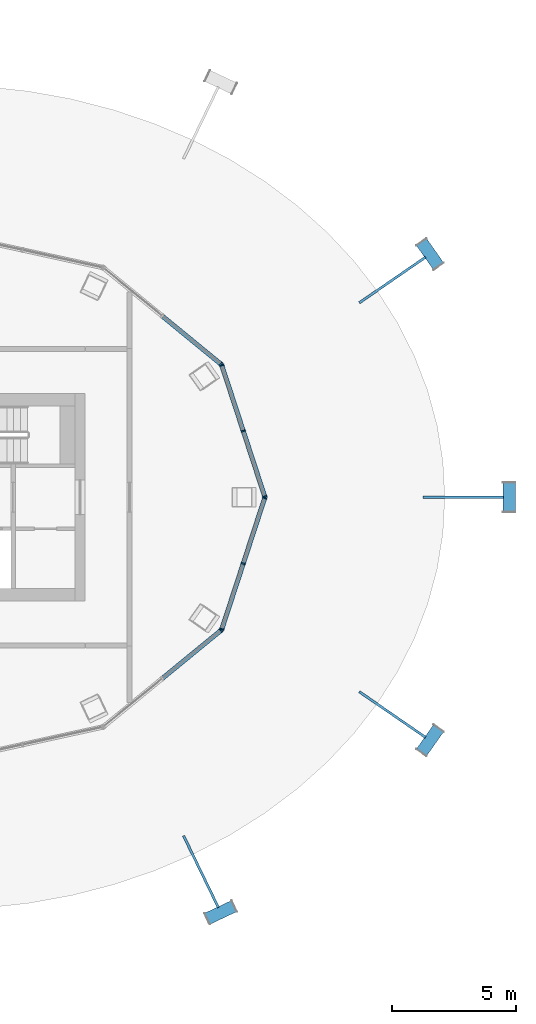
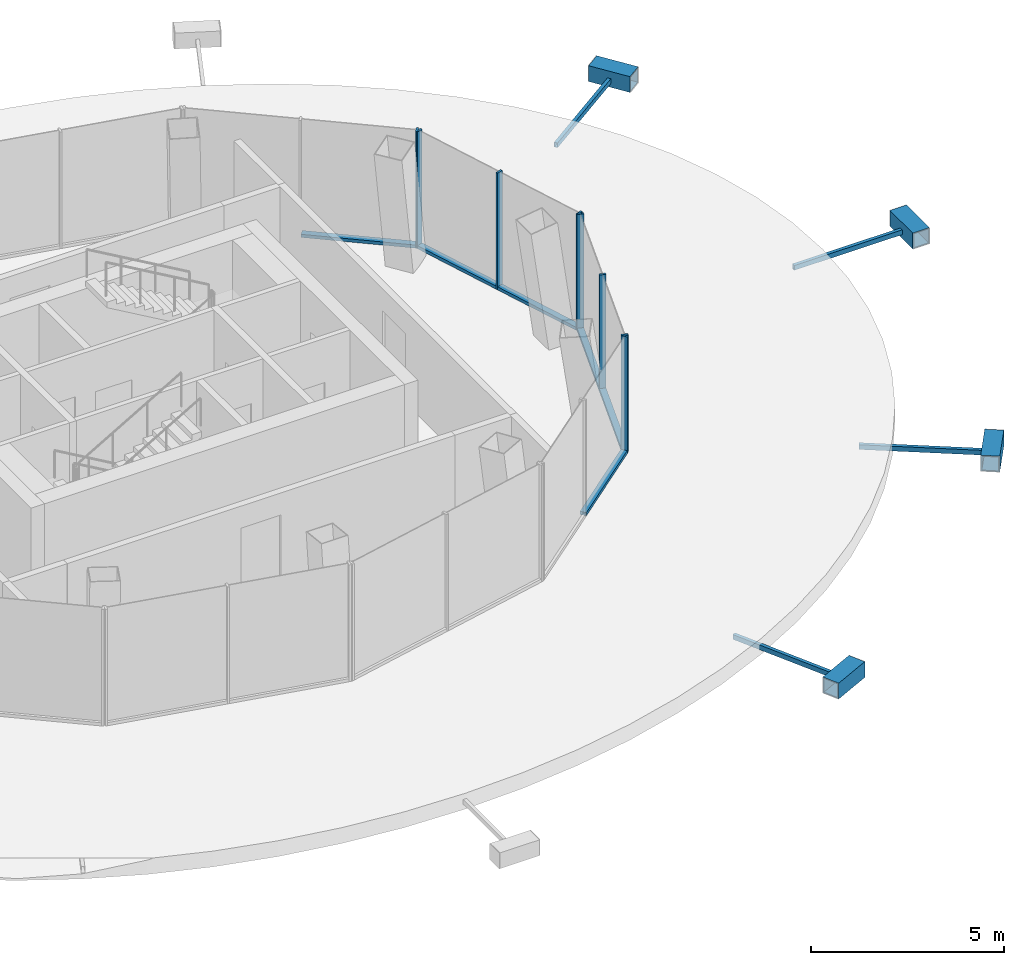
# One storey, part 4 of 10: 22 members, 4 elements without a shape of their own.
"""IFC4 building model written with IfcOpenShell, lengths in metres."""

from ifc_helpers import new_model, si_unit, direction, frame, origin, origin_2d, place, context, subcontext, project, spatial, rectangle, hollow_rectangle, extrude, material, layer, layer_set, material_profile, profile_set, type_object, element, aggregate, save


model = new_model("IFC4")

# Units and contexts
model_context = context("Model", 3, precision=1e-05, world=origin(), true_north=direction((0.0, 1.0)))
body_context = subcontext(model_context, "Body", "Model", "MODEL_VIEW")
ifc_project = project(units=[si_unit("LENGTHUNIT", "METRE"), si_unit("AREAUNIT", "SQUARE_METRE"), si_unit("VOLUMEUNIT", "CUBIC_METRE"), si_unit("PLANEANGLEUNIT", "RADIAN"), si_unit("MASSUNIT", "GRAM", prefix="KILO")], contexts=[model_context])

# Site, building, storey
site_placement = place(None, origin())
site = spatial("IfcSite", under=ifc_project, at=site_placement, CompositionType="ELEMENT")
building_placement = place(site_placement, origin())
building = spatial("IfcBuilding", under=site, at=building_placement, Name="Siaravel Broadcast Tower", CompositionType="ELEMENT")
storey_placement = place(building_placement, frame((0.0, 0.0, 272.60009765625)))
storey = spatial("IfcBuildingStorey", under=building, at=storey_placement, Name="L66", CompositionType="ELEMENT", Elevation=272.60009765625)

# Curtain wall, members
ifc_material_1 = material(Name="Aluminium 6063-T6", Category="aluminium")
ifc_layer = layer(ifc_material_1, 0.179931640625)
ifc_layer_set = layer_set([ifc_layer], Name="Aluminium 6063-T6")
curtain_wall_type = type_object("IfcCurtainWallType", Name="Crown glass facet wall", PredefinedType="NOTDEFINED", material=ifc_layer_set)
curtain_wall_1_placement = place(storey_placement, origin())
curtain_wall_1 = element("IfcCurtainWall", 1, at=curtain_wall_1_placement, inside=storey, type_object=curtain_wall_type, Name="L66 Crown glass facet wall 01", PredefinedType="NOTDEFINED")
ifc_material_profile_1 = material_profile(ifc_material_1, rectangle(XDim=0.179931640625, YDim=0.06005859375, at=origin_2d()))
ifc_profile_set_1 = profile_set([ifc_material_profile_1], Name="Aluminium 6063-T6")
member_type_1 = type_object("IfcMemberType", Name="CW-CR mullion", PredefinedType="MULLION", material=ifc_profile_set_1)
member_1_placement = place(storey_placement, frame((13.0732421875, 0.028564453125, 0.0), z_axis=(0.0, 0.0, 1.0), x_axis=(-0.950455191, -0.310861592, 0.0)))
member_1 = element("IfcMember", 2, at=member_1_placement, type_object=member_type_1, Name="CW-CR mullion 1", PredefinedType="MULLION", context=body_context, shape_type="SweptSolid", body=[
    extrude(rectangle(XDim=0.179931640625, YDim=0.06005859375, at=origin_2d()), origin(), (0.0, 0.0, 1.0), 3.699951171875),
])
member_2_placement = place(storey_placement, frame((12.205078125, 2.68310546875, 0.0), z_axis=(0.0, 0.0, 1.0), x_axis=(-0.950455191, -0.310861592, 0.0)))
member_2 = element("IfcMember", 3, at=member_2_placement, type_object=member_type_1, Name="CW-CR mullion 2", PredefinedType="MULLION", context=body_context, shape_type="SweptSolid", body=[
    extrude(rectangle(XDim=0.179931640625, YDim=0.06005859375, at=origin_2d()), origin(), (0.0, 0.0, 1.0), 3.699951171875),
])
member_3_placement = place(storey_placement, frame((11.3369140625, 5.337890625, 0.0), z_axis=(0.0, 0.0, 1.0), x_axis=(-0.950455191, -0.310861592, 0.0)))
member_3 = element("IfcMember", 4, at=member_3_placement, type_object=member_type_1, Name="CW-CR mullion 3", PredefinedType="MULLION", context=body_context, shape_type="SweptSolid", body=[
    extrude(rectangle(XDim=0.179931640625, YDim=0.06005859375, at=origin_2d()), origin(), (0.0, 0.0, 1.0), 3.699951171875),
])

# Curtain wall, member
curtain_wall_2_placement = place(storey_placement, origin())
curtain_wall_2 = element("IfcCurtainWall", 5, at=curtain_wall_2_placement, inside=storey, type_object=curtain_wall_type, Name="L66 Crown glass facet wall 02", PredefinedType="NOTDEFINED")
member_4_placement = place(storey_placement, frame((11.30419921875, 5.385498046875, 0.0), z_axis=(0.0, 0.0, 1.0), x_axis=(-0.63371155, -0.773569435, 0.0)))
member_4 = element("IfcMember", 6, at=member_4_placement, type_object=member_type_1, Name="CW-CR mullion 1", PredefinedType="MULLION", context=body_context, shape_type="SweptSolid", body=[
    extrude(rectangle(XDim=0.179931640625, YDim=0.06005859375, at=origin_2d()), origin(), (0.0, 0.0, 1.0), 3.699951171875),
])

curtain_wall_3_placement = place(storey_placement, origin())
curtain_wall_3 = element("IfcCurtainWall", 7, at=curtain_wall_3_placement, inside=storey, type_object=curtain_wall_type, Name="L66 Crown glass facet wall 11", PredefinedType="NOTDEFINED")
member_5_placement = place(storey_placement, frame((11.30419921875, -5.385498046875, 0.0), z_axis=(0.0, 0.0, 1.0), x_axis=(-0.63371155, 0.773569435, 0.0)))
member_5 = element("IfcMember", 8, at=member_5_placement, type_object=member_type_1, Name="CW-CR mullion 3", PredefinedType="MULLION", context=body_context, shape_type="SweptSolid", body=[
    extrude(rectangle(XDim=0.179931640625, YDim=0.06005859375, at=origin_2d()), origin(), (0.0, 0.0, 1.0), 3.699951171875),
])

# Curtain wall, members
curtain_wall_4_placement = place(storey_placement, origin())
curtain_wall_4 = element("IfcCurtainWall", 9, at=curtain_wall_4_placement, inside=storey, type_object=curtain_wall_type, Name="L66 Crown glass facet wall 12", PredefinedType="NOTDEFINED")
member_6_placement = place(storey_placement, frame((11.3369140625, -5.337890625, 0.0), z_axis=(0.0, 0.0, 1.0), x_axis=(-0.950455191, 0.310861592, 0.0)))
member_6 = element("IfcMember", 10, at=member_6_placement, type_object=member_type_1, Name="CW-CR mullion 1", PredefinedType="MULLION", context=body_context, shape_type="SweptSolid", body=[
    extrude(rectangle(XDim=0.179931640625, YDim=0.06005859375, at=origin_2d()), origin(), (0.0, 0.0, 1.0), 3.699951171875),
])
member_7_placement = place(storey_placement, frame((12.205078125, -2.68310546875, 0.0), z_axis=(0.0, 0.0, 1.0), x_axis=(-0.950455191, 0.310861592, 0.0)))
member_7 = element("IfcMember", 11, at=member_7_placement, type_object=member_type_1, Name="CW-CR mullion 2", PredefinedType="MULLION", context=body_context, shape_type="SweptSolid", body=[
    extrude(rectangle(XDim=0.179931640625, YDim=0.06005859375, at=origin_2d()), origin(), (0.0, 0.0, 1.0), 3.699951171875),
])
member_8_placement = place(storey_placement, frame((13.0732421875, -0.028564453125, 0.0), z_axis=(0.0, 0.0, 1.0), x_axis=(-0.950455191, 0.310861592, 0.0)))
member_8 = element("IfcMember", 12, at=member_8_placement, type_object=member_type_1, Name="CW-CR mullion 3", PredefinedType="MULLION", context=body_context, shape_type="SweptSolid", body=[
    extrude(rectangle(XDim=0.179931640625, YDim=0.06005859375, at=origin_2d()), origin(), (0.0, 0.0, 1.0), 3.699951171875),
])

# Member
ifc_material_profile_2 = material_profile(ifc_material_1, rectangle(XDim=0.179931640625, YDim=0.10009765625, at=origin_2d()))
ifc_profile_set_2 = profile_set([ifc_material_profile_2], Name="Aluminium 6063-T6")
member_type_2 = type_object("IfcMemberType", Name="CW-CR transom", PredefinedType="USERDEFINED", material=ifc_profile_set_2)
member_9_placement = place(storey_placement, frame((13.06396484375, 0.056884765625, 0.0498046875), z_axis=(-0.310836621, 0.950463358, 0.0), x_axis=(-0.950463358, -0.310836621, 0.0)))
member_9 = element("IfcMember", 13, at=member_9_placement, type_object=member_type_2, Name="CW-CR transom 1", ObjectType="TRANSOM", PredefinedType="USERDEFINED", context=body_context, shape_type="SweptSolid", body=[
    extrude(rectangle(XDim=0.179931640625, YDim=0.10009765625, at=origin_2d()), origin(), (0.0, 0.0, 1.0), 2.7333984375),
])

member_10_placement = place(storey_placement, frame((12.19580078125, 2.711669921875, 0.0498046875), z_axis=(-0.310863012, 0.950454727, 0.0), x_axis=(-0.950454727, -0.310863012, 0.0)))
member_10 = element("IfcMember", 14, at=member_10_placement, type_object=member_type_2, Name="CW-CR transom 2", ObjectType="TRANSOM", PredefinedType="USERDEFINED", context=body_context, shape_type="SweptSolid", body=[
    extrude(rectangle(XDim=0.179931640625, YDim=0.10009765625, at=origin_2d()), origin(), (0.0, 0.0, 1.0), 2.733154296875),
])

aggregate(curtain_wall_1, [member_1, member_2, member_3, member_9, member_10])

member_11_placement = place(storey_placement, frame((11.281005859375, 5.404296875, 0.0498046875), z_axis=(-0.77353374, 0.633755121, 0.0), x_axis=(-0.633755121, -0.77353374, 0.0)))
member_11 = element("IfcMember", 15, at=member_11_placement, type_object=member_type_2, Name="CW-CR transom 1", ObjectType="TRANSOM", PredefinedType="USERDEFINED", context=body_context, shape_type="SweptSolid", body=[
    extrude(rectangle(XDim=0.179931640625, YDim=0.10009765625, at=origin_2d()), origin(), (0.0, 0.0, 1.0), 3.005859375),
])

aggregate(curtain_wall_2, [member_4, member_11])

member_12_placement = place(storey_placement, frame((8.955810546875, -7.309326171875, 0.0498046875), z_axis=(0.77353374, 0.633755121, 0.0), x_axis=(-0.633755121, 0.77353374, 0.0)))
member_12 = element("IfcMember", 16, at=member_12_placement, type_object=member_type_2, Name="CW-CR transom 2", ObjectType="TRANSOM", PredefinedType="USERDEFINED", context=body_context, shape_type="SweptSolid", body=[
    extrude(rectangle(XDim=0.179931640625, YDim=0.10009765625, at=origin_2d()), origin(), (0.0, 0.0, 1.0), 3.005859375),
])

aggregate(curtain_wall_3, [member_5, member_12])

member_13_placement = place(storey_placement, frame((11.34619140625, -5.309326171875, 0.0498046875), z_axis=(0.310863012, 0.950454727, 0.0), x_axis=(-0.950454727, 0.310863012, 0.0)))
member_13 = element("IfcMember", 17, at=member_13_placement, type_object=member_type_2, Name="CW-CR transom 1", ObjectType="TRANSOM", PredefinedType="USERDEFINED", context=body_context, shape_type="SweptSolid", body=[
    extrude(rectangle(XDim=0.179931640625, YDim=0.10009765625, at=origin_2d()), origin(), (0.0, 0.0, 1.0), 2.733154296875),
])

member_14_placement = place(storey_placement, frame((12.21435546875, -2.65478515625, 0.0498046875), z_axis=(0.310836621, 0.950463358, 0.0), x_axis=(-0.950463358, 0.310836621, 0.0)))
member_14 = element("IfcMember", 18, at=member_14_placement, type_object=member_type_2, Name="CW-CR transom 2", ObjectType="TRANSOM", PredefinedType="USERDEFINED", context=body_context, shape_type="SweptSolid", body=[
    extrude(rectangle(XDim=0.179931640625, YDim=0.10009765625, at=origin_2d()), origin(), (0.0, 0.0, 1.0), 2.7333984375),
])

aggregate(curtain_wall_4, [member_6, member_7, member_8, member_13, member_14])

# Members
ifc_material_2 = material(Name="Steel S460", Category="steel")
ifc_material_profile_3 = material_profile(ifc_material_2, hollow_rectangle(XDim=0.5, YDim=0.5, WallThickness=0.031982421875, at=origin_2d()))
ifc_profile_set_3 = profile_set([ifc_material_profile_3], Name="Steel S460")
member_type_3 = type_object("IfcMemberType", Name="Diagrid node BOX 500x500x32", PredefinedType="USERDEFINED", material=ifc_profile_set_3)
member_15_placement = place(storey_placement, frame((22.96337890625, -0.593505859375, -0.2001953125), z_axis=(0.0, 1.0, 0.0), x_axis=(-1.0, 0.0, 0.0)))
element("IfcMember", 19, at=member_15_placement, inside=storey, type_object=member_type_3, Name="Diagrid node R27 station 00", ObjectType="DIAGRID NODE", PredefinedType="USERDEFINED", context=body_context, shape_type="SweptSolid", body=[
    extrude(hollow_rectangle(XDim=0.5, YDim=0.5, WallThickness=0.031982421875, at=origin_2d()), origin(), (0.0, 0.0, 1.0), 1.18701171875),
])
for number, where, z_axis, x_axis, name in (
    (20, (20.102294921875, 9.352783203125, -0.2001953125), (-0.575972278, 0.817469226, 0.0), (-0.817469226, -0.575972278, 0.0), "Diagrid node R27 station 06"),
    (21, (10.7568359375, -17.04931640625, -0.2001953125), (0.904005771, 0.427520253, 0.0), (-0.427520253, 0.904005771, 0.0), "Diagrid node R27 station 60"),
    (22, (19.418701171875, -10.322998046875, -0.2001953125), (0.575972278, 0.817469226, 0.0), (-0.817469226, 0.575972278, 0.0), "Diagrid node R27 station 66"),
):
    element("IfcMember", number, at=place(storey_placement, frame(where, z_axis=z_axis, x_axis=x_axis)), inside=storey, type_object=member_type_3, Name=name, ObjectType="DIAGRID NODE", PredefinedType="USERDEFINED", context=body_context, shape_type="SweptSolid", body=[
        extrude(hollow_rectangle(XDim=0.5, YDim=0.5, WallThickness=0.031982421875, at=origin_2d()), origin(), (0.0, 0.0, 1.0), 1.186767578125),
    ])
ifc_material_profile_4 = material_profile(ifc_material_2, hollow_rectangle(XDim=0.10009765625, YDim=0.14990234375, WallThickness=0.008056640625, at=origin_2d()))
ifc_profile_set_4 = profile_set([ifc_material_profile_4], Name="Steel S460")
member_type_4 = type_object("IfcMemberType", Name="Diagrid node arm RHS 150x100x8", PredefinedType="STRUT", material=ifc_profile_set_4)
member_16_placement = place(storey_placement, frame((19.477294921875, 0.0, -0.25), z_axis=(1.0, 0.0, 0.0), x_axis=(0.0, 1.0, 0.0)))
element("IfcMember", 23, at=member_16_placement, inside=storey, type_object=member_type_4, Name="Node arm R27 station 00", PredefinedType="STRUT", context=body_context, shape_type="SweptSolid", body=[
    extrude(hollow_rectangle(XDim=0.10009765625, YDim=0.14990234375, WallThickness=0.008056640625, at=origin_2d()), origin(), (0.0, 0.0, 1.0), 3.26611328125),
])
member_17_placement = place(storey_placement, frame((16.9013671875, 7.8681640625, -0.25), z_axis=(0.823487336, 0.567334652, 0.0), x_axis=(-0.567334652, 0.823487336, 0.0)))
element("IfcMember", 24, at=member_17_placement, inside=storey, type_object=member_type_4, Name="Node arm R27 station 06", PredefinedType="STRUT", context=body_context, shape_type="SweptSolid", body=[
    extrude(hollow_rectangle(XDim=0.10009765625, YDim=0.14990234375, WallThickness=0.008056640625, at=origin_2d()), origin(), (0.0, 0.0, 1.0), 3.251953125),
])
member_18_placement = place(storey_placement, frame((9.78857421875, -13.692138671875, -0.25), z_axis=(0.436262376, -0.899819504, 0.0), x_axis=(0.899819504, 0.436262376, 0.0)))
element("IfcMember", 25, at=member_18_placement, inside=storey, type_object=member_type_4, Name="Node arm R27 station 60", PredefinedType="STRUT", context=body_context, shape_type="SweptSolid", body=[
    extrude(hollow_rectangle(XDim=0.10009765625, YDim=0.14990234375, WallThickness=0.008056640625, at=origin_2d()), origin(), (0.0, 0.0, 1.0), 3.22900390625),
])
member_19_placement = place(storey_placement, frame((16.9013671875, -7.8681640625, -0.25), z_axis=(0.823487336, -0.567334652, 0.0), x_axis=(0.567334652, 0.823487336, 0.0)))
element("IfcMember", 26, at=member_19_placement, inside=storey, type_object=member_type_4, Name="Node arm R27 station 66", PredefinedType="STRUT", context=body_context, shape_type="SweptSolid", body=[
    extrude(hollow_rectangle(XDim=0.10009765625, YDim=0.14990234375, WallThickness=0.008056640625, at=origin_2d()), origin(), (0.0, 0.0, 1.0), 3.251953125),
])

save(model, "model.ifc")
